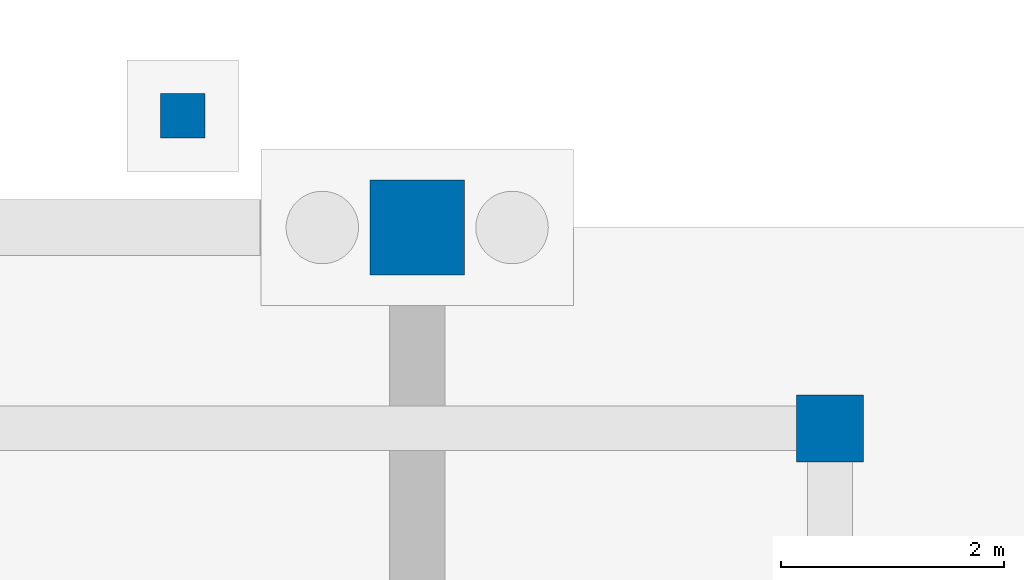
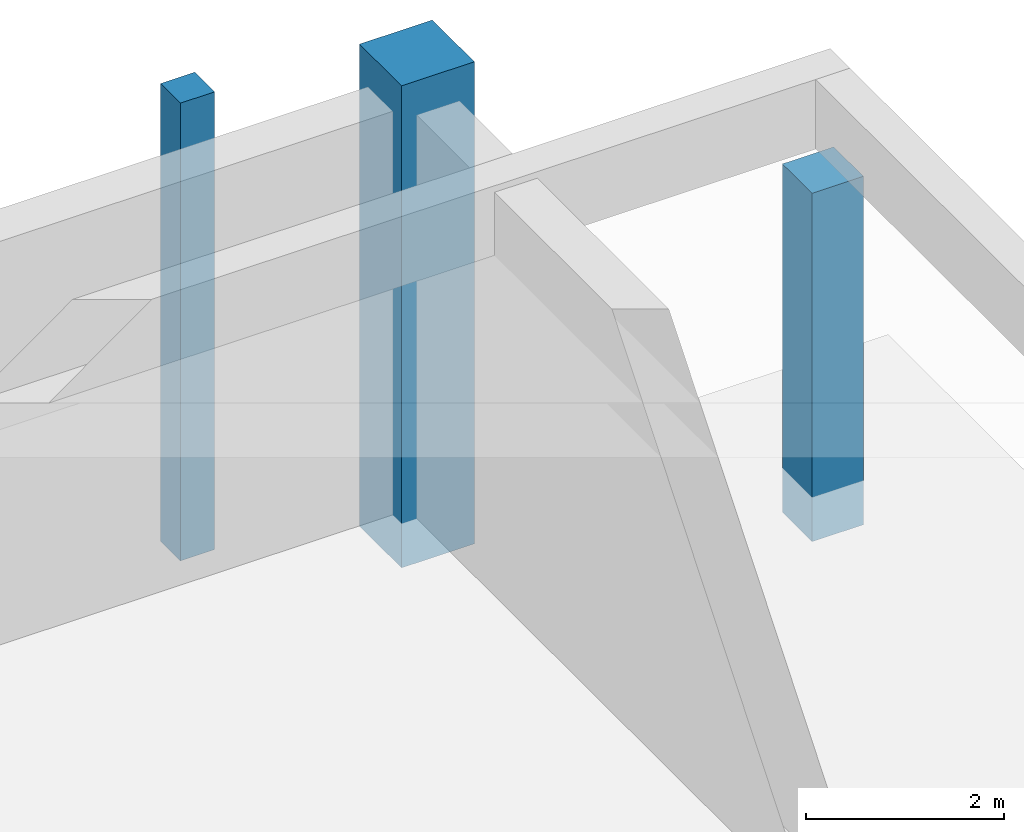
# One storey, part 24 of 42: 3 columns.
"""IFC4 building model written with IfcOpenShell, lengths in metres."""

from ifc_helpers import new_model, si_unit, direction, frame, origin, origin_2d, place, context, subcontext, project, spatial, rectangle, extrude, material, material_profile, profile_set, type_object, element, save


model = new_model("IFC4")

# Units and contexts
model_context = context("Model", 3, precision=1e-05, world=origin(), true_north=direction((0.0, 1.0)))
body_context = subcontext(model_context, "Body", "Model", "MODEL_VIEW")
ifc_project = project(units=[si_unit("LENGTHUNIT", "METRE"), si_unit("AREAUNIT", "SQUARE_METRE"), si_unit("VOLUMEUNIT", "CUBIC_METRE"), si_unit("PLANEANGLEUNIT", "RADIAN"), si_unit("MASSUNIT", "GRAM", prefix="KILO"), si_unit("THERMODYNAMICTEMPERATUREUNIT", "KELVIN"), si_unit("POWERUNIT", "WATT")], contexts=[model_context])

# Site, building, storey
site_placement = place(None, origin())
site = spatial("IfcSite", under=ifc_project, at=site_placement, CompositionType="ELEMENT")
building_placement = place(site_placement, origin())
building = spatial("IfcBuilding", under=site, at=building_placement, Name="Solmara Park Aquatics Centre", CompositionType="ELEMENT")
storey_placement = place(building_placement, frame((0.0, 0.0, -5.39990234375)))
storey = spatial("IfcBuildingStorey", under=building, at=storey_placement, Name="B1", CompositionType="ELEMENT", Elevation=-5.39990234375)

# Columns
ifc_material = material(Name="Concrete C40/50", Category="concrete")
ifc_material_profile_1 = material_profile(ifc_material, rectangle(XDim=0.39990234375, YDim=0.39990234375, at=origin_2d()), Name="RC 400x400")
ifc_profile_set_1 = profile_set([ifc_material_profile_1], Name="Concrete C40/50")
column_type_1 = type_object("IfcColumnType", Name="STR-COL-RC400", PredefinedType="COLUMN", material=ifc_profile_set_1)
column_1_placement = place(storey_placement, frame((153.89990234375, 137.0, -0.550048828125), z_axis=(0.0, 0.0, 1.0), x_axis=(1.0, 0.0, 0.0)))
element("IfcColumn", 1, at=column_1_placement, inside=storey, type_object=column_type_1, Name="Apron Foundation Pier SLB-L00-APR-N-2", PredefinedType="COLUMN", context=body_context, shape_type="SweptSolid", body=[
    extrude(rectangle(XDim=0.39990234375, YDim=0.39990234375, at=origin_2d()), origin(), (0.0, 0.0, 1.0), 5.64990234375),
])
ifc_material_profile_2 = material_profile(ifc_material, rectangle(XDim=0.60009765625, YDim=0.60009765625, at=origin_2d()), Name="RC 600x600")
ifc_profile_set_2 = profile_set([ifc_material_profile_2], Name="Concrete C40/50")
column_type_2 = type_object("IfcColumnType", Name="STR-COL-RC600", PredefinedType="COLUMN", material=ifc_profile_set_2)
column_2_placement = place(storey_placement, frame((159.699951171875, 134.199951171875, -0.550048828125), z_axis=(0.0, 0.0, 1.0), x_axis=(1.0, 0.0, 0.0)))
element("IfcColumn", 2, at=column_2_placement, inside=storey, type_object=column_type_2, Name="Pool Tank Support Column 049", PredefinedType="COLUMN", context=body_context, shape_type="SweptSolid", body=[
    extrude(rectangle(XDim=0.60009765625, YDim=0.60009765625, at=origin_2d()), origin(), (0.0, 0.0, 1.0), 4.300048828125),
])
ifc_material_profile_3 = material_profile(ifc_material, rectangle(XDim=0.85009765625, YDim=0.85009765625, at=origin_2d()), Name="RC 850x850")
ifc_profile_set_3 = profile_set([ifc_material_profile_3], Name="Concrete C40/50")
column_type_3 = type_object("IfcColumnType", Name="STR-COL-RC850", PredefinedType="COLUMN", material=ifc_profile_set_3)
column_3_placement = place(storey_placement, frame((156.0, 136.0, -0.550048828125), z_axis=(0.0, 0.0, 1.0), x_axis=(1.0, 0.0, 0.0)))
element("IfcColumn", 3, at=column_3_placement, inside=storey, type_object=column_type_3, Name="Column B1-0122", PredefinedType="COLUMN", context=body_context, shape_type="SweptSolid", body=[
    extrude(rectangle(XDim=0.85009765625, YDim=0.85009765625, at=origin_2d()), origin(), (0.0, 0.0, 1.0), 5.949951171875),
])

save(model, "model.ifc")
